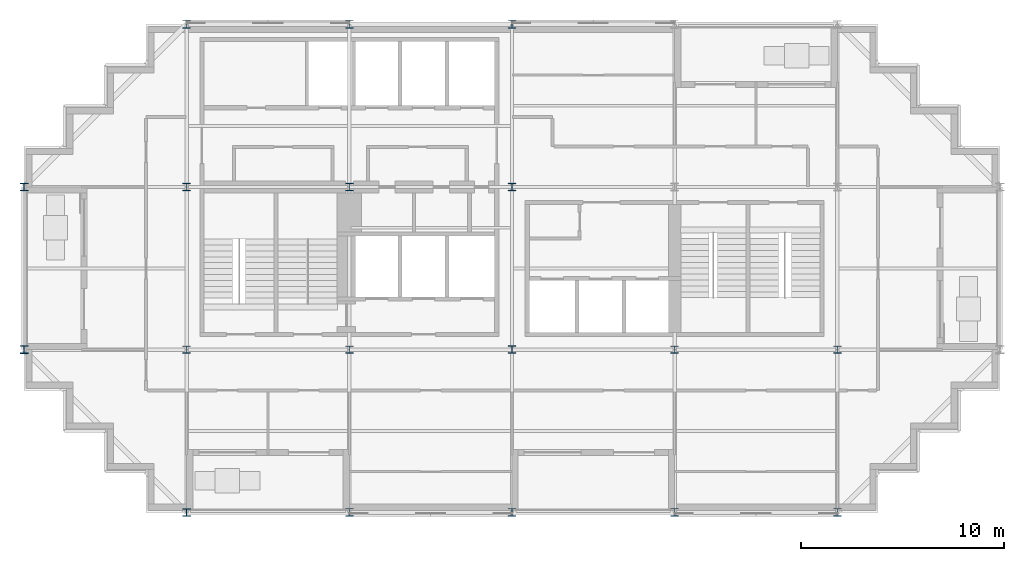
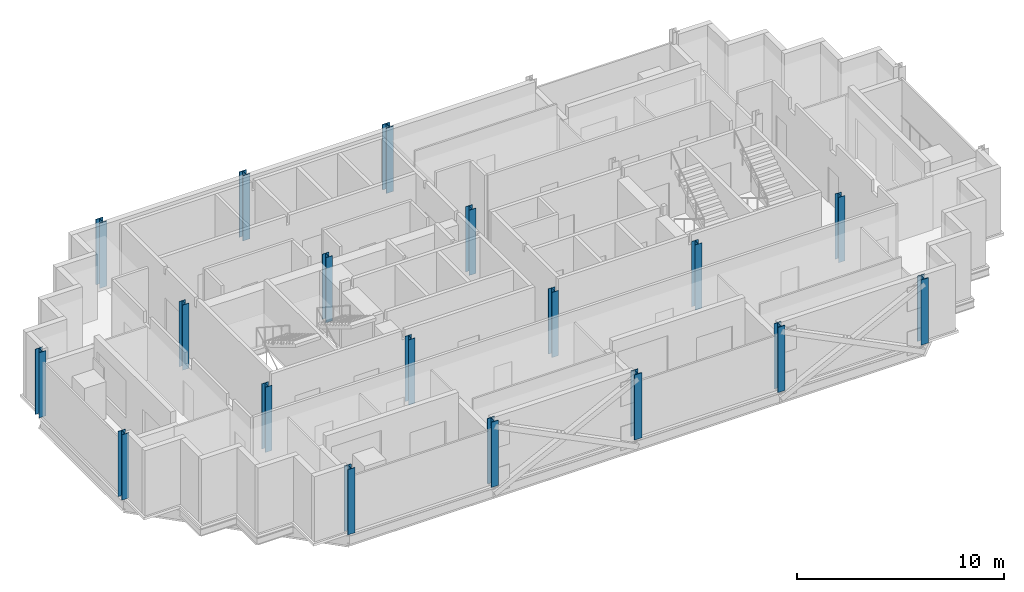
# One storey, part 1 of 10: 18 columns.
"""IFC4 building model written with IfcOpenShell, lengths in metres."""

from ifc_helpers import new_model, si_unit, direction, frame, origin, origin_2d, place, context, subcontext, project, spatial, i_section, extrude, material, material_profile, profile_set, type_object, element, save


model = new_model("IFC4")

# Units and contexts
model_context = context("Model", 3, precision=1e-05, world=origin(), true_north=direction((0.0, 1.0)))
body_context = subcontext(model_context, "Body", "Model", "MODEL_VIEW")
ifc_project = project(units=[si_unit("LENGTHUNIT", "METRE"), si_unit("AREAUNIT", "SQUARE_METRE"), si_unit("VOLUMEUNIT", "CUBIC_METRE"), si_unit("PLANEANGLEUNIT", "RADIAN"), si_unit("MASSUNIT", "GRAM", prefix="KILO")], contexts=[model_context])

# Site, building, storey
site_placement = place(None, origin())
site = spatial("IfcSite", under=ifc_project, at=site_placement, CompositionType="ELEMENT")
building_placement = place(site_placement, origin())
building = spatial("IfcBuilding", under=site, at=building_placement, Name="Immortelle Media Tower", CompositionType="ELEMENT")
storey_placement = place(building_placement, frame((0.0, 0.0, 259.0)))
storey = spatial("IfcBuildingStorey", under=building, at=storey_placement, Name="L56", CompositionType="ELEMENT", Elevation=259.0)

# Columns
ifc_material = material(Name="Steel ASTM A992 Gr 50", Category="steel")
ifc_material_profile_1 = material_profile(ifc_material, i_section(OverallWidth=0.373046875, OverallDepth=0.367919921875, WebThickness=0.014892578125, FlangeThickness=0.02392578125, at=origin_2d()), Name="W14x120")
ifc_profile_set_1 = profile_set([ifc_material_profile_1], Name="Steel ASTM A992 Gr 50")
column_type_1 = type_object("IfcColumnType", Name="W14x120 column", PredefinedType="COLUMN", material=ifc_profile_set_1)
for number, where, z_axis, x_axis, name in (
    (1, (24.0, 8.0, 0.0), (0.0, 0.0, 1.0), (1.0, 0.0, 0.0), "Column 4/B"),
    (2, (24.0, 16.0, 0.0), (0.0, 0.0, 1.0), (1.0, 0.0, 0.0), "Column 4/C"),
):
    element("IfcColumn", number, at=place(storey_placement, frame(where, z_axis=z_axis, x_axis=x_axis)), inside=storey, type_object=column_type_1, Name=name, PredefinedType="COLUMN", context=body_context, shape_type="SweptSolid", body=[
        extrude(i_section(OverallWidth=0.373046875, OverallDepth=0.367919921875, WebThickness=0.014892578125, FlangeThickness=0.02392578125, at=origin_2d()), origin(), (0.0, 0.0, 1.0), 3.85009765625),
    ])
ifc_material_profile_2 = material_profile(ifc_material, i_section(OverallWidth=0.39404296875, OverallDepth=0.3759765625, WebThickness=0.01708984375, FlangeThickness=0.028076171875, at=origin_2d()), Name="W14x145")
ifc_profile_set_2 = profile_set([ifc_material_profile_2], Name="Steel ASTM A992 Gr 50")
column_type_2 = type_object("IfcColumnType", Name="W14x145 column", PredefinedType="COLUMN", material=ifc_profile_set_2)
for number, where, z_axis, x_axis, name in (
    (3, (0.0, 8.0, 0.0), (0.0, 0.0, 1.0), (1.0, 0.0, 0.0), "Column 1/B"),
    (4, (0.0, 16.0, 0.0), (0.0, 0.0, 1.0), (1.0, 0.0, 0.0), "Column 1/C"),
    (5, (8.0, 0.0, 0.0), (0.0, 0.0, 1.0), (1.0, 0.0, 0.0), "Column 2/A"),
):
    element("IfcColumn", number, at=place(storey_placement, frame(where, z_axis=z_axis, x_axis=x_axis)), inside=storey, type_object=column_type_2, Name=name, PredefinedType="COLUMN", context=body_context, shape_type="SweptSolid", body=[
        extrude(i_section(OverallWidth=0.39404296875, OverallDepth=0.3759765625, WebThickness=0.01708984375, FlangeThickness=0.028076171875, at=origin_2d()), origin(), (0.0, 0.0, 1.0), 3.85009765625),
    ])
ifc_material_profile_3 = material_profile(ifc_material, i_section(OverallWidth=0.40087890625, OverallDepth=0.39892578125, WebThickness=0.02490234375, FlangeThickness=0.0400390625, at=origin_2d()), Name="W14x211")
ifc_profile_set_3 = profile_set([ifc_material_profile_3], Name="Steel ASTM A992 Gr 50")
column_type_3 = type_object("IfcColumnType", Name="W14x211 column", PredefinedType="COLUMN", material=ifc_profile_set_3)
for number, where, z_axis, x_axis, name in (
    (6, (8.0, 24.0, 0.0), (0.0, 0.0, 1.0), (1.0, 0.0, 0.0), "Column 2/D"),
    (7, (16.0, 0.0, 0.0), (0.0, 0.0, 1.0), (1.0, 0.0, 0.0), "Column 3/A"),
    (8, (16.0, 24.0, 0.0), (0.0, 0.0, 1.0), (1.0, 0.0, 0.0), "Column 3/D"),
    (9, (24.0, 0.0, 0.0), (0.0, 0.0, 1.0), (1.0, 0.0, 0.0), "Column 4/A"),
    (10, (24.0, 24.0, 0.0), (0.0, 0.0, 1.0), (1.0, 0.0, 0.0), "Column 4/D"),
    (11, (32.0, 0.0, 0.0), (0.0, 0.0, 1.0), (1.0, 0.0, 0.0), "Column 5/A"),
    (12, (40.0, 0.0, 0.0), (0.0, 0.0, 1.0), (1.0, 0.0, 0.0), "Column 6/A"),
):
    element("IfcColumn", number, at=place(storey_placement, frame(where, z_axis=z_axis, x_axis=x_axis)), inside=storey, type_object=column_type_3, Name=name, PredefinedType="COLUMN", context=body_context, shape_type="SweptSolid", body=[
        extrude(i_section(OverallWidth=0.40087890625, OverallDepth=0.39892578125, WebThickness=0.02490234375, FlangeThickness=0.0400390625, at=origin_2d()), origin(), (0.0, 0.0, 1.0), 3.85009765625),
    ])
ifc_material_profile_4 = material_profile(ifc_material, i_section(OverallWidth=0.37109375, OverallDepth=0.361083984375, WebThickness=0.011962890625, FlangeThickness=0.02001953125, at=origin_2d()), Name="W14x99")
ifc_profile_set_4 = profile_set([ifc_material_profile_4], Name="Steel ASTM A992 Gr 50")
column_type_4 = type_object("IfcColumnType", Name="W14x99 column", PredefinedType="COLUMN", material=ifc_profile_set_4)
for number, where, z_axis, x_axis, name in (
    (13, (8.0, 8.0, 0.0), (0.0, 0.0, 1.0), (1.0, 0.0, 0.0), "Column 2/B"),
    (14, (8.0, 16.0, 0.0), (0.0, 0.0, 1.0), (1.0, 0.0, 0.0), "Column 2/C"),
    (15, (16.0, 8.0, 0.0), (0.0, 0.0, 1.0), (1.0, 0.0, 0.0), "Column 3/B"),
    (16, (16.0, 16.0, 0.0), (0.0, 0.0, 1.0), (1.0, 0.0, 0.0), "Column 3/C"),
    (17, (32.0, 8.0, 0.0), (0.0, 0.0, 1.0), (1.0, 0.0, 0.0), "Column 5/B"),
    (18, (40.0, 8.0, 0.0), (0.0, 0.0, 1.0), (1.0, 0.0, 0.0), "Column 6/B"),
):
    element("IfcColumn", number, at=place(storey_placement, frame(where, z_axis=z_axis, x_axis=x_axis)), inside=storey, type_object=column_type_4, Name=name, PredefinedType="COLUMN", context=body_context, shape_type="SweptSolid", body=[
        extrude(i_section(OverallWidth=0.37109375, OverallDepth=0.361083984375, WebThickness=0.011962890625, FlangeThickness=0.02001953125, at=origin_2d()), origin(), (0.0, 0.0, 1.0), 3.85009765625),
    ])

save(model, "model.ifc")
